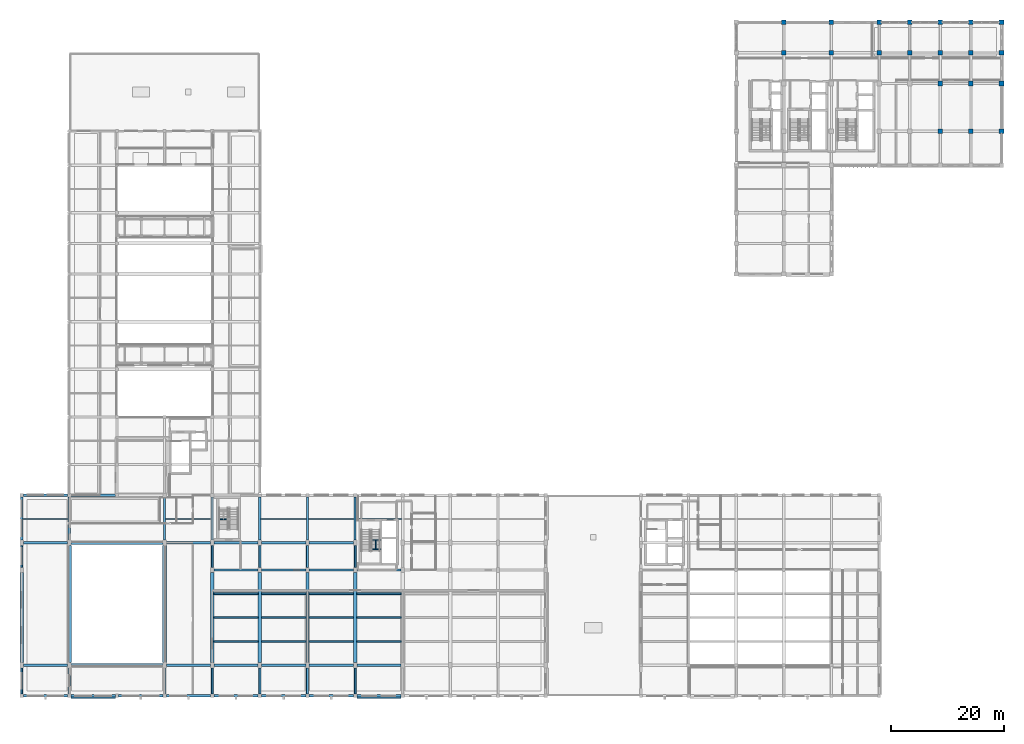
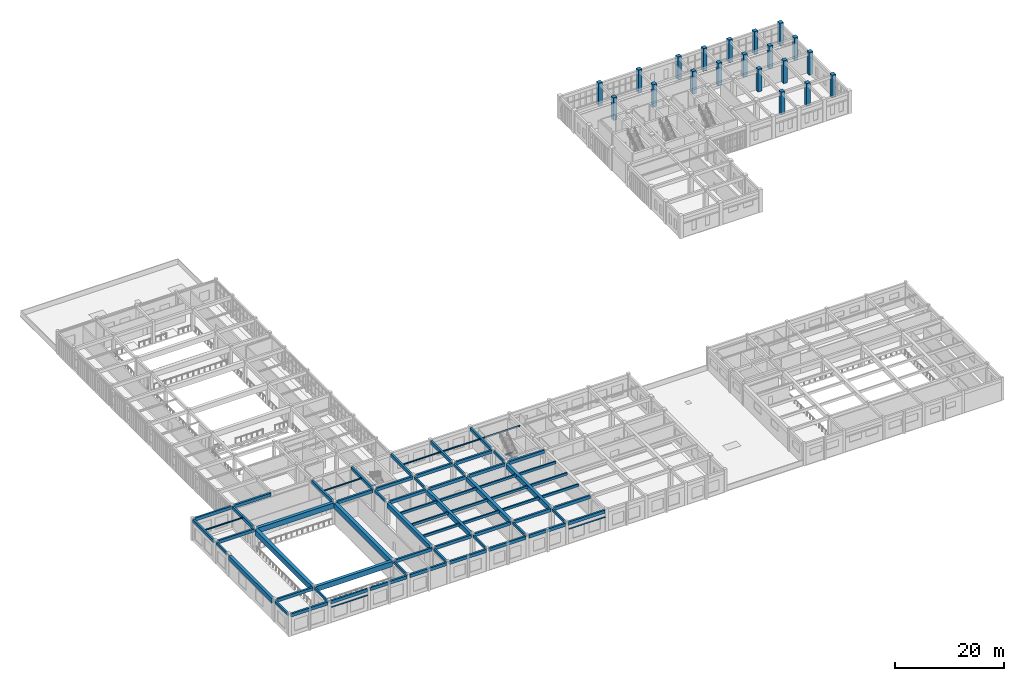
# One storey, part 11 of 77: 74 beams, 20 columns, 2 members.
"""IFC4 building model written with IfcOpenShell, lengths in metres."""

from ifc_helpers import new_model, si_unit, direction, frame, origin, origin_2d, place, context, subcontext, project, spatial, rectangle, hollow_rectangle, i_section, extrude, material, material_profile, profile_set, type_object, element, save


model = new_model("IFC4")

# Units and contexts
model_context = context("Model", 3, precision=1e-05, world=origin(), true_north=direction((0.0, 1.0)))
body_context = subcontext(model_context, "Body", "Model", "MODEL_VIEW")
ifc_project = project(units=[si_unit("LENGTHUNIT", "METRE"), si_unit("AREAUNIT", "SQUARE_METRE"), si_unit("VOLUMEUNIT", "CUBIC_METRE"), si_unit("PLANEANGLEUNIT", "RADIAN"), si_unit("MASSUNIT", "GRAM", prefix="KILO")], contexts=[model_context])

# Site, building, storey
site_placement = place(None, origin())
site = spatial("IfcSite", under=ifc_project, at=site_placement, CompositionType="ELEMENT")
building_placement = place(site_placement, origin())
building = spatial("IfcBuilding", under=site, at=building_placement, Name="Krzemoval Escarpment Law Courts", CompositionType="ELEMENT")
storey_placement = place(building_placement, frame((0.0, 0.0, 15.300048828125)))
storey = spatial("IfcBuildingStorey", under=building, at=storey_placement, Name="L03", CompositionType="ELEMENT", Elevation=15.300048828125)

# Columns
ifc_material_1 = material(Name="Concrete C40/50", Category="concrete")
ifc_material_profile_1 = material_profile(ifc_material_1, rectangle(XDim=0.800048828125, YDim=0.800048828125, at=origin_2d()), Name="RC 800x800")
ifc_profile_set_1 = profile_set([ifc_material_profile_1], Name="Concrete C40/50")
column_type = type_object("IfcColumnType", Name="COL-RC-800", PredefinedType="COLUMN", material=ifc_profile_set_1)
for number, where, z_axis, x_axis, name in (
    (1, (134.39990234375, 113.39990234375, 0.0), (0.0, 0.0, 1.0), (1.0, 0.0, 0.0), "Column FC-L03-1127"),
    (2, (134.39990234375, 118.800048828125, 0.0), (0.0, 0.0, 1.0), (1.0, 0.0, 0.0), "Column FC-L03-1128"),
    (3, (142.800048828125, 113.39990234375, 0.0), (0.0, 0.0, 1.0), (1.0, 0.0, 0.0), "Column FC-L03-1140"),
    (4, (142.800048828125, 118.800048828125, 0.0), (0.0, 0.0, 1.0), (1.0, 0.0, 0.0), "Column FC-L03-1141"),
    (5, (151.199951171875, 113.39990234375, 0.0), (0.0, 0.0, 1.0), (1.0, 0.0, 0.0), "Column FC-L03-1150"),
    (6, (151.199951171875, 118.800048828125, 0.0), (0.0, 0.0, 1.0), (1.0, 0.0, 0.0), "Column FC-L03-1151"),
    (7, (156.60009765625, 113.39990234375, 0.0), (0.0, 0.0, 1.0), (1.0, 0.0, 0.0), "Column FC-L03-1155"),
    (8, (156.60009765625, 118.800048828125, 0.0), (0.0, 0.0, 1.0), (1.0, 0.0, 0.0), "Column FC-L03-1156"),
    (9, (162.0, 99.60009765625, 0.0), (0.0, 0.0, 1.0), (1.0, 0.0, 0.0), "Column FC-L03-1158"),
    (10, (162.0, 108.0, 0.0), (0.0, 0.0, 1.0), (1.0, 0.0, 0.0), "Column FC-L03-1159"),
    (11, (162.0, 113.39990234375, 0.0), (0.0, 0.0, 1.0), (1.0, 0.0, 0.0), "Column FC-L03-1160"),
    (12, (162.0, 118.800048828125, 0.0), (0.0, 0.0, 1.0), (1.0, 0.0, 0.0), "Column FC-L03-1161"),
    (13, (167.39990234375, 99.60009765625, 0.0), (0.0, 0.0, 1.0), (1.0, 0.0, 0.0), "Column FC-L03-1163"),
    (14, (167.39990234375, 108.0, 0.0), (0.0, 0.0, 1.0), (1.0, 0.0, 0.0), "Column FC-L03-1164"),
    (15, (167.39990234375, 113.39990234375, 0.0), (0.0, 0.0, 1.0), (1.0, 0.0, 0.0), "Column FC-L03-1165"),
    (16, (167.39990234375, 118.800048828125, 0.0), (0.0, 0.0, 1.0), (1.0, 0.0, 0.0), "Column FC-L03-1166"),
    (17, (172.800048828125, 99.60009765625, 0.0), (0.0, 0.0, 1.0), (1.0, 0.0, 0.0), "Column FC-L03-1168"),
    (18, (172.800048828125, 108.0, 0.0), (0.0, 0.0, 1.0), (1.0, 0.0, 0.0), "Column FC-L03-1169"),
    (19, (172.800048828125, 113.39990234375, 0.0), (0.0, 0.0, 1.0), (1.0, 0.0, 0.0), "Column FC-L03-1170"),
    (20, (172.800048828125, 118.800048828125, 0.0), (0.0, 0.0, 1.0), (1.0, 0.0, 0.0), "Column FC-L03-1171"),
):
    element("IfcColumn", number, at=place(storey_placement, frame(where, z_axis=z_axis, x_axis=x_axis)), inside=storey, type_object=column_type, Name=name, PredefinedType="COLUMN", context=body_context, shape_type="SweptSolid", body=[
        extrude(rectangle(XDim=0.800048828125, YDim=0.800048828125, at=origin_2d()), origin(), (0.0, 0.0, 1.0), 5.099853515625),
    ])

# Beams
ifc_material_2 = material(Name="Concrete C50/60", Category="concrete")
ifc_material_profile_2 = material_profile(ifc_material_2, rectangle(XDim=0.60009765625, YDim=1.050048828125, at=origin_2d()), Name="PTG 600x1050")
ifc_profile_set_2 = profile_set([ifc_material_profile_2], Name="Concrete C50/60")
beam_type_1 = type_object("IfcBeamType", Name="BM-PTG-600x1050", PredefinedType="BEAM", material=ifc_profile_set_2)
for number, where, z_axis, x_axis, name in (
    (21, (0.0, 5.85009765625, 4.31494140625), (0.0, 1.0, 0.0), (-1.0, 0.0, 0.0), "Beam FG-L03-2216"),
    (22, (33.60009765625, 5.85009765625, 4.31494140625), (0.0, 1.0, 0.0), (-1.0, 0.0, 0.0), "Beam FG-L03-2247"),
    (23, (42.0, 5.85009765625, 4.31494140625), (0.0, 1.0, 0.0), (-1.0, 0.0, 0.0), "Beam FG-L03-2260"),
    (24, (50.39990234375, 5.85009765625, 4.31494140625), (0.0, 1.0, 0.0), (-1.0, 0.0, 0.0), "Beam FG-L03-2273"),
    (25, (58.800048828125, 5.85009765625, 4.31494140625), (0.0, 1.0, 0.0), (-1.0, 0.0, 0.0), "Beam FG-L03-2277"),
):
    element("IfcBeam", number, at=place(storey_placement, frame(where, z_axis=z_axis, x_axis=x_axis)), inside=storey, type_object=beam_type_1, Name=name, PredefinedType="BEAM", context=body_context, shape_type="SweptSolid", body=[
        extrude(rectangle(XDim=0.60009765625, YDim=1.050048828125, at=origin_2d()), origin(), (0.0, 0.0, 1.0), 15.89990234375),
    ])
ifc_material_3 = material(Name="Concrete C50/60", Category="concrete")
ifc_material_profile_3 = material_profile(ifc_material_3, rectangle(XDim=0.64990234375, YDim=1.14990234375, at=origin_2d()), Name="PTG 650x1150")
ifc_profile_set_3 = profile_set([ifc_material_profile_3], Name="Concrete C50/60")
beam_type_2 = type_object("IfcBeamType", Name="BM-PTG-650x1150", PredefinedType="BEAM", material=ifc_profile_set_3)
for number, where, z_axis, x_axis, name in (
    (26, (8.699951171875, 5.39990234375, 4.264892578125), (1.0, 0.0, 0.0), (0.0, 1.0, 0.0), "Beam FG-L03-2093"),
    (27, (8.699951171875, 27.0, 4.264892578125), (1.0, 0.0, 0.0), (0.0, 1.0, 0.0), "Beam FG-L03-2120"),
):
    element("IfcBeam", number, at=place(storey_placement, frame(where, z_axis=z_axis, x_axis=x_axis)), inside=storey, type_object=beam_type_2, Name=name, PredefinedType="BEAM", context=body_context, shape_type="SweptSolid", body=[
        extrude(rectangle(XDim=0.64990234375, YDim=1.14990234375, at=origin_2d()), origin(), (0.0, 0.0, 1.0), 16.199951171875),
    ])
ifc_material_4 = material(Name="Concrete C50/60", Category="concrete")
ifc_material_profile_4 = material_profile(ifc_material_4, rectangle(XDim=0.699951171875, YDim=1.25, at=origin_2d()), Name="PTG 700x1250")
ifc_profile_set_4 = profile_set([ifc_material_profile_4], Name="Concrete C50/60")
beam_type_3 = type_object("IfcBeamType", Name="BM-PTG-700x1250", PredefinedType="BEAM", material=ifc_profile_set_4)
for number, where, z_axis, x_axis, name in (
    (28, (8.39990234375, 5.85009765625, 4.21484375), (0.0, 1.0, 0.0), (-1.0, 0.0, 0.0), "Beam FG-L03-2220"),
    (29, (25.199951171875, 5.85009765625, 4.21484375), (0.0, 1.0, 0.0), (-1.0, 0.0, 0.0), "Beam FG-L03-2241"),
):
    element("IfcBeam", number, at=place(storey_placement, frame(where, z_axis=z_axis, x_axis=x_axis)), inside=storey, type_object=beam_type_3, Name=name, PredefinedType="BEAM", context=body_context, shape_type="SweptSolid", body=[
        extrude(rectangle(XDim=0.699951171875, YDim=1.25, at=origin_2d()), origin(), (0.0, 0.0, 1.0), 20.699951171875),
    ])
ifc_material_5 = material(Name="Concrete C40/50", Category="concrete")
ifc_material_profile_5 = material_profile(ifc_material_5, rectangle(XDim=0.35009765625, YDim=0.550048828125, at=origin_2d()), Name="RCB 350x550")
ifc_profile_set_5 = profile_set([ifc_material_profile_5], Name="Concrete C40/50")
beam_type_4 = type_object("IfcBeamType", Name="BM-RC-350x550", PredefinedType="BEAM", material=ifc_profile_set_5)
beam_1_placement = place(storey_placement, frame((0.0, 0.300048828125, 4.56494140625), z_axis=(0.0, 1.0, 0.0), x_axis=(-1.0, 0.0, 0.0)))
element("IfcBeam", 30, at=beam_1_placement, inside=storey, type_object=beam_type_4, Name="Beam FG-L03-2215", PredefinedType="BEAM", context=body_context, shape_type="SweptSolid", body=[
    extrude(rectangle(XDim=0.35009765625, YDim=0.550048828125, at=origin_2d()), origin(), (0.0, 0.0, 1.0), 4.64990234375),
])
beam_2_placement = place(storey_placement, frame((0.0, 22.64990234375, 4.56494140625), z_axis=(0.0, 1.0, 0.0), x_axis=(-1.0, 0.0, 0.0)))
element("IfcBeam", 31, at=beam_2_placement, inside=storey, type_object=beam_type_4, Name="Beam FG-L03-2217", PredefinedType="BEAM", context=body_context, shape_type="SweptSolid", body=[
    extrude(rectangle(XDim=0.35009765625, YDim=0.550048828125, at=origin_2d()), origin(), (0.0, 0.0, 1.0), 3.900146484375),
])
for number, where, z_axis, x_axis, name in (
    (32, (8.39990234375, 0.300048828125, 4.56494140625), (0.0, 1.0, 0.0), (-1.0, 0.0, 0.0), "Beam FG-L03-2219"),
    (33, (25.199951171875, 0.300048828125, 4.56494140625), (0.0, 1.0, 0.0), (-1.0, 0.0, 0.0), "Beam FG-L03-2240"),
    (34, (33.60009765625, 0.300048828125, 4.56494140625), (0.0, 1.0, 0.0), (-1.0, 0.0, 0.0), "Beam FG-L03-2246"),
):
    element("IfcBeam", number, at=place(storey_placement, frame(where, z_axis=z_axis, x_axis=x_axis)), inside=storey, type_object=beam_type_4, Name=name, PredefinedType="BEAM", context=body_context, shape_type="SweptSolid", body=[
        extrude(rectangle(XDim=0.35009765625, YDim=0.550048828125, at=origin_2d()), origin(), (0.0, 0.0, 1.0), 4.64990234375),
    ])
beam_3_placement = place(storey_placement, frame((33.60009765625, 22.64990234375, 4.56494140625), z_axis=(0.0, 1.0, 0.0), x_axis=(-1.0, 0.0, 0.0)))
element("IfcBeam", 35, at=beam_3_placement, inside=storey, type_object=beam_type_4, Name="Beam FG-L03-2248", PredefinedType="BEAM", context=body_context, shape_type="SweptSolid", body=[
    extrude(rectangle(XDim=0.35009765625, YDim=0.550048828125, at=origin_2d()), origin(), (0.0, 0.0, 1.0), 3.900146484375),
])
beam_4_placement = place(storey_placement, frame((42.0, 0.300048828125, 4.56494140625), z_axis=(0.0, 1.0, 0.0), x_axis=(-1.0, 0.0, 0.0)))
element("IfcBeam", 36, at=beam_4_placement, inside=storey, type_object=beam_type_4, Name="Beam FG-L03-2259", PredefinedType="BEAM", context=body_context, shape_type="SweptSolid", body=[
    extrude(rectangle(XDim=0.35009765625, YDim=0.550048828125, at=origin_2d()), origin(), (0.0, 0.0, 1.0), 4.64990234375),
])
beam_5_placement = place(storey_placement, frame((42.0, 22.64990234375, 4.56494140625), z_axis=(0.0, 1.0, 0.0), x_axis=(-1.0, 0.0, 0.0)))
element("IfcBeam", 37, at=beam_5_placement, inside=storey, type_object=beam_type_4, Name="Beam FG-L03-2261", PredefinedType="BEAM", context=body_context, shape_type="SweptSolid", body=[
    extrude(rectangle(XDim=0.35009765625, YDim=0.550048828125, at=origin_2d()), origin(), (0.0, 0.0, 1.0), 3.900146484375),
])
beam_6_placement = place(storey_placement, frame((50.39990234375, 0.300048828125, 4.56494140625), z_axis=(0.0, 1.0, 0.0), x_axis=(-1.0, 0.0, 0.0)))
element("IfcBeam", 38, at=beam_6_placement, inside=storey, type_object=beam_type_4, Name="Beam FG-L03-2272", PredefinedType="BEAM", context=body_context, shape_type="SweptSolid", body=[
    extrude(rectangle(XDim=0.35009765625, YDim=0.550048828125, at=origin_2d()), origin(), (0.0, 0.0, 1.0), 4.64990234375),
])
beam_7_placement = place(storey_placement, frame((50.39990234375, 22.64990234375, 4.56494140625), z_axis=(0.0, 1.0, 0.0), x_axis=(-1.0, 0.0, 0.0)))
element("IfcBeam", 39, at=beam_7_placement, inside=storey, type_object=beam_type_4, Name="Beam FG-L03-2274", PredefinedType="BEAM", context=body_context, shape_type="SweptSolid", body=[
    extrude(rectangle(XDim=0.35009765625, YDim=0.550048828125, at=origin_2d()), origin(), (0.0, 0.0, 1.0), 3.900146484375),
])
beam_8_placement = place(storey_placement, frame((58.800048828125, 0.300048828125, 4.56494140625), z_axis=(0.0, 1.0, 0.0), x_axis=(-1.0, 0.0, 0.0)))
element("IfcBeam", 40, at=beam_8_placement, inside=storey, type_object=beam_type_4, Name="Beam FG-L03-2276", PredefinedType="BEAM", context=body_context, shape_type="SweptSolid", body=[
    extrude(rectangle(XDim=0.35009765625, YDim=0.550048828125, at=origin_2d()), origin(), (0.0, 0.0, 1.0), 4.64990234375),
])
beam_9_placement = place(storey_placement, frame((58.800048828125, 22.64990234375, 4.56494140625), z_axis=(0.0, 1.0, 0.0), x_axis=(-1.0, 0.0, 0.0)))
element("IfcBeam", 41, at=beam_9_placement, inside=storey, type_object=beam_type_4, Name="Beam FG-L03-2278", PredefinedType="BEAM", context=body_context, shape_type="SweptSolid", body=[
    extrude(rectangle(XDim=0.35009765625, YDim=0.550048828125, at=origin_2d()), origin(), (0.0, 0.0, 1.0), 3.900146484375),
])
ifc_material_6 = material(Name="Concrete C40/50", Category="concrete")
ifc_material_profile_6 = material_profile(ifc_material_6, rectangle(XDim=0.39990234375, YDim=0.699951171875, at=origin_2d()), Name="RCB 400x700")
ifc_profile_set_6 = profile_set([ifc_material_profile_6], Name="Concrete C40/50")
beam_type_5 = type_object("IfcBeamType", Name="BM-RC-400x700", PredefinedType="BEAM", material=ifc_profile_set_6)
for number, where, z_axis, x_axis, name in (
    (42, (0.300048828125, 0.0, 4.489990234375), (1.0, 0.0, 0.0), (0.0, 1.0, 0.0), "Beam FG-L03-2076"),
    (43, (8.699951171875, 0.0, 4.489990234375), (1.0, 0.0, 0.0), (0.0, 1.0, 0.0), "Beam FG-L03-2077"),
):
    element("IfcBeam", number, at=place(storey_placement, frame(where, z_axis=z_axis, x_axis=x_axis)), inside=storey, type_object=beam_type_5, Name=name, PredefinedType="BEAM", context=body_context, shape_type="SweptSolid", body=[
        extrude(rectangle(XDim=0.39990234375, YDim=0.699951171875, at=origin_2d()), origin(), (0.0, 0.0, 1.0), 7.800048828125),
    ])
beam_10_placement = place(storey_placement, frame((17.10009765625, 0.0, 4.489990234375), z_axis=(1.0, 0.0, 0.0), x_axis=(0.0, 1.0, 0.0)))
element("IfcBeam", 44, at=beam_10_placement, inside=storey, type_object=beam_type_5, Name="Beam FG-L03-2078", PredefinedType="BEAM", context=body_context, shape_type="SweptSolid", body=[
    extrude(rectangle(XDim=0.39990234375, YDim=0.699951171875, at=origin_2d()), origin(), (0.0, 0.0, 1.0), 7.7998046875),
])
for number, where, z_axis, x_axis, name in (
    (45, (25.5, 0.0, 4.489990234375), (1.0, 0.0, 0.0), (0.0, 1.0, 0.0), "Beam FG-L03-2079"),
    (46, (33.89990234375, 0.0, 4.489990234375), (1.0, 0.0, 0.0), (0.0, 1.0, 0.0), "Beam FG-L03-2080"),
    (47, (42.300048828125, 0.0, 4.489990234375), (1.0, 0.0, 0.0), (0.0, 1.0, 0.0), "Beam FG-L03-2081"),
    (48, (50.699951171875, 0.0, 4.489990234375), (1.0, 0.0, 0.0), (0.0, 1.0, 0.0), "Beam FG-L03-2082"),
):
    element("IfcBeam", number, at=place(storey_placement, frame(where, z_axis=z_axis, x_axis=x_axis)), inside=storey, type_object=beam_type_5, Name=name, PredefinedType="BEAM", context=body_context, shape_type="SweptSolid", body=[
        extrude(rectangle(XDim=0.39990234375, YDim=0.699951171875, at=origin_2d()), origin(), (0.0, 0.0, 1.0), 7.800048828125),
    ])
beam_11_placement = place(storey_placement, frame((59.10009765625, 0.0, 4.489990234375), z_axis=(1.0, 0.0, 0.0), x_axis=(0.0, 1.0, 0.0)))
element("IfcBeam", 49, at=beam_11_placement, inside=storey, type_object=beam_type_5, Name="Beam FG-L03-2083", PredefinedType="BEAM", context=body_context, shape_type="SweptSolid", body=[
    extrude(rectangle(XDim=0.39990234375, YDim=0.699951171875, at=origin_2d()), origin(), (0.0, 0.0, 1.0), 7.7998046875),
])
for number, where, z_axis, x_axis, name in (
    (50, (0.300048828125, 5.39990234375, 4.489990234375), (1.0, 0.0, 0.0), (0.0, 1.0, 0.0), "Beam FG-L03-2092"),
    (51, (25.5, 5.39990234375, 4.489990234375), (1.0, 0.0, 0.0), (0.0, 1.0, 0.0), "Beam FG-L03-2094"),
    (52, (33.89990234375, 5.39990234375, 4.489990234375), (1.0, 0.0, 0.0), (0.0, 1.0, 0.0), "Beam FG-L03-2095"),
    (53, (42.300048828125, 5.39990234375, 4.489990234375), (1.0, 0.0, 0.0), (0.0, 1.0, 0.0), "Beam FG-L03-2096"),
    (54, (50.699951171875, 5.39990234375, 4.489990234375), (1.0, 0.0, 0.0), (0.0, 1.0, 0.0), "Beam FG-L03-2097"),
):
    element("IfcBeam", number, at=place(storey_placement, frame(where, z_axis=z_axis, x_axis=x_axis)), inside=storey, type_object=beam_type_5, Name=name, PredefinedType="BEAM", context=body_context, shape_type="SweptSolid", body=[
        extrude(rectangle(XDim=0.39990234375, YDim=0.699951171875, at=origin_2d()), origin(), (0.0, 0.0, 1.0), 7.800048828125),
    ])
beam_12_placement = place(storey_placement, frame((59.10009765625, 5.39990234375, 4.489990234375), z_axis=(1.0, 0.0, 0.0), x_axis=(0.0, 1.0, 0.0)))
element("IfcBeam", 55, at=beam_12_placement, inside=storey, type_object=beam_type_5, Name="Beam FG-L03-2098", PredefinedType="BEAM", context=body_context, shape_type="SweptSolid", body=[
    extrude(rectangle(XDim=0.39990234375, YDim=0.699951171875, at=origin_2d()), origin(), (0.0, 0.0, 1.0), 7.7998046875),
])
for number, where, z_axis, x_axis, name in (
    (56, (33.89990234375, 22.199951171875, 4.489990234375), (1.0, 0.0, 0.0), (0.0, 1.0, 0.0), "Beam FG-L03-2107"),
    (57, (42.300048828125, 22.199951171875, 4.489990234375), (1.0, 0.0, 0.0), (0.0, 1.0, 0.0), "Beam FG-L03-2108"),
    (58, (50.699951171875, 22.199951171875, 4.489990234375), (1.0, 0.0, 0.0), (0.0, 1.0, 0.0), "Beam FG-L03-2109"),
):
    element("IfcBeam", number, at=place(storey_placement, frame(where, z_axis=z_axis, x_axis=x_axis)), inside=storey, type_object=beam_type_5, Name=name, PredefinedType="BEAM", context=body_context, shape_type="SweptSolid", body=[
        extrude(rectangle(XDim=0.39990234375, YDim=0.699951171875, at=origin_2d()), origin(), (0.0, 0.0, 1.0), 7.800048828125),
    ])
beam_13_placement = place(storey_placement, frame((59.10009765625, 22.199951171875, 4.489990234375), z_axis=(1.0, 0.0, 0.0), x_axis=(0.0, 1.0, 0.0)))
element("IfcBeam", 59, at=beam_13_placement, inside=storey, type_object=beam_type_5, Name="Beam FG-L03-2110", PredefinedType="BEAM", context=body_context, shape_type="SweptSolid", body=[
    extrude(rectangle(XDim=0.39990234375, YDim=0.699951171875, at=origin_2d()), origin(), (0.0, 0.0, 1.0), 7.7998046875),
])
for number, where, z_axis, x_axis, name in (
    (60, (0.300048828125, 27.0, 4.489990234375), (1.0, 0.0, 0.0), (0.0, 1.0, 0.0), "Beam FG-L03-2119"),
    (61, (25.5, 27.0, 4.489990234375), (1.0, 0.0, 0.0), (0.0, 1.0, 0.0), "Beam FG-L03-2121"),
    (62, (33.89990234375, 27.0, 4.489990234375), (1.0, 0.0, 0.0), (0.0, 1.0, 0.0), "Beam FG-L03-2122"),
    (63, (42.300048828125, 27.0, 4.489990234375), (1.0, 0.0, 0.0), (0.0, 1.0, 0.0), "Beam FG-L03-2123"),
    (64, (50.699951171875, 27.0, 4.489990234375), (1.0, 0.0, 0.0), (0.0, 1.0, 0.0), "Beam FG-L03-2124"),
    (65, (0.300048828125, 35.39990234375, 4.489990234375), (1.0, 0.0, 0.0), (0.0, 1.0, 0.0), "Beam FG-L03-2133"),
    (66, (8.699951171875, 35.39990234375, 4.489990234375), (1.0, 0.0, 0.0), (0.0, 1.0, 0.0), "Beam FG-L03-2134"),
):
    element("IfcBeam", number, at=place(storey_placement, frame(where, z_axis=z_axis, x_axis=x_axis)), inside=storey, type_object=beam_type_5, Name=name, PredefinedType="BEAM", context=body_context, shape_type="SweptSolid", body=[
        extrude(rectangle(XDim=0.39990234375, YDim=0.699951171875, at=origin_2d()), origin(), (0.0, 0.0, 1.0), 7.800048828125),
    ])
for number, where, z_axis, x_axis, name in (
    (67, (0.0, 27.449951171875, 4.489990234375), (0.0, 1.0, 0.0), (-1.0, 0.0, 0.0), "Beam FG-L03-2218"),
    (68, (8.39990234375, 27.449951171875, 4.489990234375), (0.0, 1.0, 0.0), (-1.0, 0.0, 0.0), "Beam FG-L03-2221"),
    (69, (25.199951171875, 27.449951171875, 4.489990234375), (0.0, 1.0, 0.0), (-1.0, 0.0, 0.0), "Beam FG-L03-2242"),
    (70, (33.60009765625, 27.449951171875, 4.489990234375), (0.0, 1.0, 0.0), (-1.0, 0.0, 0.0), "Beam FG-L03-2249"),
    (71, (42.0, 27.449951171875, 4.489990234375), (0.0, 1.0, 0.0), (-1.0, 0.0, 0.0), "Beam FG-L03-2262"),
    (72, (50.39990234375, 27.449951171875, 4.489990234375), (0.0, 1.0, 0.0), (-1.0, 0.0, 0.0), "Beam FG-L03-2275"),
    (73, (58.800048828125, 27.449951171875, 4.489990234375), (0.0, 1.0, 0.0), (-1.0, 0.0, 0.0), "Beam FG-L03-2279"),
):
    element("IfcBeam", number, at=place(storey_placement, frame(where, z_axis=z_axis, x_axis=x_axis)), inside=storey, type_object=beam_type_5, Name=name, PredefinedType="BEAM", context=body_context, shape_type="SweptSolid", body=[
        extrude(rectangle(XDim=0.39990234375, YDim=0.699951171875, at=origin_2d()), origin(), (0.0, 0.0, 1.0), 7.650146484375),
    ])
ifc_material_7 = material(Name="Concrete C40/50", Category="concrete")
ifc_material_profile_7 = material_profile(ifc_material_7, rectangle(XDim=0.300048828125, YDim=0.550048828125, at=origin_2d()), Name="RCB 300x550")
ifc_profile_set_7 = profile_set([ifc_material_profile_7], Name="Concrete C40/50")
beam_type_6 = type_object("IfcBeamType", Name="JST-RC-300x550", PredefinedType="JOIST", material=ifc_profile_set_7)
for number, where, z_axis, x_axis, name in (
    (74, (33.89990234375, 9.60009765625, 4.56494140625), (1.0, 0.0, 0.0), (0.0, 1.0, 0.0), "Secondary Joist FJ-L03-2370"),
    (75, (33.89990234375, 13.800048828125, 4.56494140625), (1.0, 0.0, 0.0), (0.0, 1.0, 0.0), "Secondary Joist FJ-L03-2371"),
    (76, (33.89990234375, 18.0, 4.56494140625), (1.0, 0.0, 0.0), (0.0, 1.0, 0.0), "Secondary Joist FJ-L03-2372"),
    (77, (42.300048828125, 9.60009765625, 4.56494140625), (1.0, 0.0, 0.0), (0.0, 1.0, 0.0), "Secondary Joist FJ-L03-2378"),
    (78, (42.300048828125, 13.800048828125, 4.56494140625), (1.0, 0.0, 0.0), (0.0, 1.0, 0.0), "Secondary Joist FJ-L03-2379"),
    (79, (42.300048828125, 18.0, 4.56494140625), (1.0, 0.0, 0.0), (0.0, 1.0, 0.0), "Secondary Joist FJ-L03-2380"),
    (80, (50.699951171875, 9.60009765625, 4.56494140625), (1.0, 0.0, 0.0), (0.0, 1.0, 0.0), "Secondary Joist FJ-L03-2382"),
    (81, (50.699951171875, 13.800048828125, 4.56494140625), (1.0, 0.0, 0.0), (0.0, 1.0, 0.0), "Secondary Joist FJ-L03-2383"),
    (82, (50.699951171875, 18.0, 4.56494140625), (1.0, 0.0, 0.0), (0.0, 1.0, 0.0), "Secondary Joist FJ-L03-2384"),
):
    element("IfcBeam", number, at=place(storey_placement, frame(where, z_axis=z_axis, x_axis=x_axis)), inside=storey, type_object=beam_type_6, Name=name, PredefinedType="JOIST", context=body_context, shape_type="SweptSolid", body=[
        extrude(rectangle(XDim=0.300048828125, YDim=0.550048828125, at=origin_2d()), origin(), (0.0, 0.0, 1.0), 7.800048828125),
    ])
for number, where, z_axis, x_axis, name in (
    (83, (59.10009765625, 9.60009765625, 4.56494140625), (1.0, 0.0, 0.0), (0.0, 1.0, 0.0), "Secondary Joist FJ-L03-2386"),
    (84, (59.10009765625, 13.800048828125, 4.56494140625), (1.0, 0.0, 0.0), (0.0, 1.0, 0.0), "Secondary Joist FJ-L03-2387"),
    (85, (59.10009765625, 18.0, 4.56494140625), (1.0, 0.0, 0.0), (0.0, 1.0, 0.0), "Secondary Joist FJ-L03-2388"),
):
    element("IfcBeam", number, at=place(storey_placement, frame(where, z_axis=z_axis, x_axis=x_axis)), inside=storey, type_object=beam_type_6, Name=name, PredefinedType="JOIST", context=body_context, shape_type="SweptSolid", body=[
        extrude(rectangle(XDim=0.300048828125, YDim=0.550048828125, at=origin_2d()), origin(), (0.0, 0.0, 1.0), 7.7998046875),
    ])
ifc_material_8 = material(Name="Steel S355", Category="steel")
ifc_material_profile_8 = material_profile(ifc_material_8, i_section(OverallWidth=0.14990234375, OverallDepth=0.300048828125, WebThickness=0.007080078125, FlangeThickness=0.0107421875, at=origin_2d()), Name="IPE 300")
ifc_profile_set_8 = profile_set([ifc_material_profile_8], Name="Steel S355")
beam_type_7 = type_object("IfcBeamType", Name="JST-S355-IPE300", PredefinedType="JOIST", material=ifc_profile_set_8)
for number, where, z_axis, x_axis, name in (
    (86, (0.199951171875, 31.199951171875, 4.68994140625), (1.0, 0.0, 0.0), (0.0, 1.0, 0.0), "Secondary Joist FJ-L03-2361"),
    (87, (25.39990234375, 31.199951171875, 4.68994140625), (1.0, 0.0, 0.0), (0.0, 1.0, 0.0), "Secondary Joist FJ-L03-2368"),
    (88, (42.199951171875, 31.199951171875, 4.68994140625), (1.0, 0.0, 0.0), (0.0, 1.0, 0.0), "Secondary Joist FJ-L03-2381"),
    (89, (50.60009765625, 31.199951171875, 4.68994140625), (1.0, 0.0, 0.0), (0.0, 1.0, 0.0), "Secondary Joist FJ-L03-2385"),
    (90, (59.0, 31.199951171875, 4.68994140625), (1.0, 0.0, 0.0), (0.0, 1.0, 0.0), "Secondary Joist FJ-L03-2389"),
):
    element("IfcBeam", number, at=place(storey_placement, frame(where, z_axis=z_axis, x_axis=x_axis)), inside=storey, type_object=beam_type_7, Name=name, PredefinedType="JOIST", context=body_context, shape_type="SweptSolid", body=[
        extrude(i_section(OverallWidth=0.14990234375, OverallDepth=0.300048828125, WebThickness=0.007080078125, FlangeThickness=0.0107421875, at=origin_2d()), origin(), (0.0, 0.0, 1.0), 8.0),
    ])
for number, where, z_axis, x_axis, name in (
    (91, (61.550048828125, 25.8798828125, 2.27001953125), (1.0, 0.0, 0.0), (0.0, 1.0, 0.0), "Stair Well Crosshead SLHW-C4-L03-1"),
    (92, (61.550048828125, 27.47998046875, 2.27001953125), (1.0, 0.0, 0.0), (0.0, 1.0, 0.0), "Stair Well Crosshead SLHW-C4-L03-2"),
):
    element("IfcBeam", number, at=place(storey_placement, frame(where, z_axis=z_axis, x_axis=x_axis)), inside=storey, type_object=beam_type_7, Name=name, PredefinedType="JOIST", context=body_context, shape_type="SweptSolid", body=[
        extrude(i_section(OverallWidth=0.14990234375, OverallDepth=0.300048828125, WebThickness=0.007080078125, FlangeThickness=0.0107421875, at=origin_2d()), origin(), (0.0, 0.0, 1.0), 1.81005859375),
    ])
beam_14_placement = place(storey_placement, frame((62.425048828125, 25.8798828125, 2.27001953125), z_axis=(0.0, 1.0, 0.0), x_axis=(-1.0, 0.0, 0.0)))
element("IfcBeam", 93, at=beam_14_placement, inside=storey, type_object=beam_type_7, Name="Stair Flight Support Stringer SLTW-C4-L03", PredefinedType="JOIST", context=body_context, shape_type="SweptSolid", body=[
    extrude(i_section(OverallWidth=0.14990234375, OverallDepth=0.300048828125, WebThickness=0.007080078125, FlangeThickness=0.0107421875, at=origin_2d()), origin(), (0.0, 0.0, 1.0), 1.60009765625),
])
beam_15_placement = place(storey_placement, frame((36.5, 31.169921875, 2.27001953125), z_axis=(-1.0, 0.0, 0.0), x_axis=(0.0, -1.0, 0.0)))
element("IfcBeam", 94, at=beam_15_placement, inside=storey, type_object=beam_type_7, Name="Stair Well Crosshead SLHW-C7-L03-2", PredefinedType="JOIST", context=body_context, shape_type="SweptSolid", body=[
    extrude(i_section(OverallWidth=0.14990234375, OverallDepth=0.300048828125, WebThickness=0.007080078125, FlangeThickness=0.0107421875, at=origin_2d()), origin(), (0.0, 0.0, 1.0), 1.860107421875),
])

# Members
ifc_material_9 = material(Name="Anodised Aluminium Alloy 6063-T6", Category="aluminium")
ifc_material_profile_9 = material_profile(ifc_material_9, hollow_rectangle(XDim=0.06005859375, YDim=0.320068359375, WallThickness=0.00390625, at=origin_2d()), Name="ALU LVR 60x320")
ifc_profile_set_9 = profile_set([ifc_material_profile_9], Name="Anodised Aluminium Alloy 6063-T6")
member_type = type_object("IfcMemberType", Name="LVR-ALU-320", PredefinedType="USERDEFINED", material=ifc_profile_set_9)
member_1_placement = place(storey_placement, frame((66.89990234375, -0.320068359375, 3.409912109375), z_axis=(-1.0, 0.0, 0.0), x_axis=(0.0, 0.0, 1.0)))
element("IfcMember", 95, at=member_1_placement, inside=storey, type_object=member_type, Name="Window Sunshade Louvre FLV-L03-0764", ObjectType="SUNSHADE_LOUVRE", PredefinedType="USERDEFINED", context=body_context, shape_type="SweptSolid", body=[
    extrude(hollow_rectangle(XDim=0.06005859375, YDim=0.320068359375, WallThickness=0.00390625, at=origin_2d()), origin(), (0.0, 0.0, 1.0), 7.7998046875),
])
member_2_placement = place(storey_placement, frame((16.5, -0.320068359375, 3.510009765625), z_axis=(-1.0, 0.0, 0.0), x_axis=(0.0, 0.0, 1.0)))
element("IfcMember", 96, at=member_2_placement, inside=storey, type_object=member_type, Name="Window Sunshade Louvre FLV-L03-0765", ObjectType="SUNSHADE_LOUVRE", PredefinedType="USERDEFINED", context=body_context, shape_type="SweptSolid", body=[
    extrude(hollow_rectangle(XDim=0.06005859375, YDim=0.320068359375, WallThickness=0.00390625, at=origin_2d()), origin(), (0.0, 0.0, 1.0), 7.800048828125),
])

save(model, "model.ifc")
